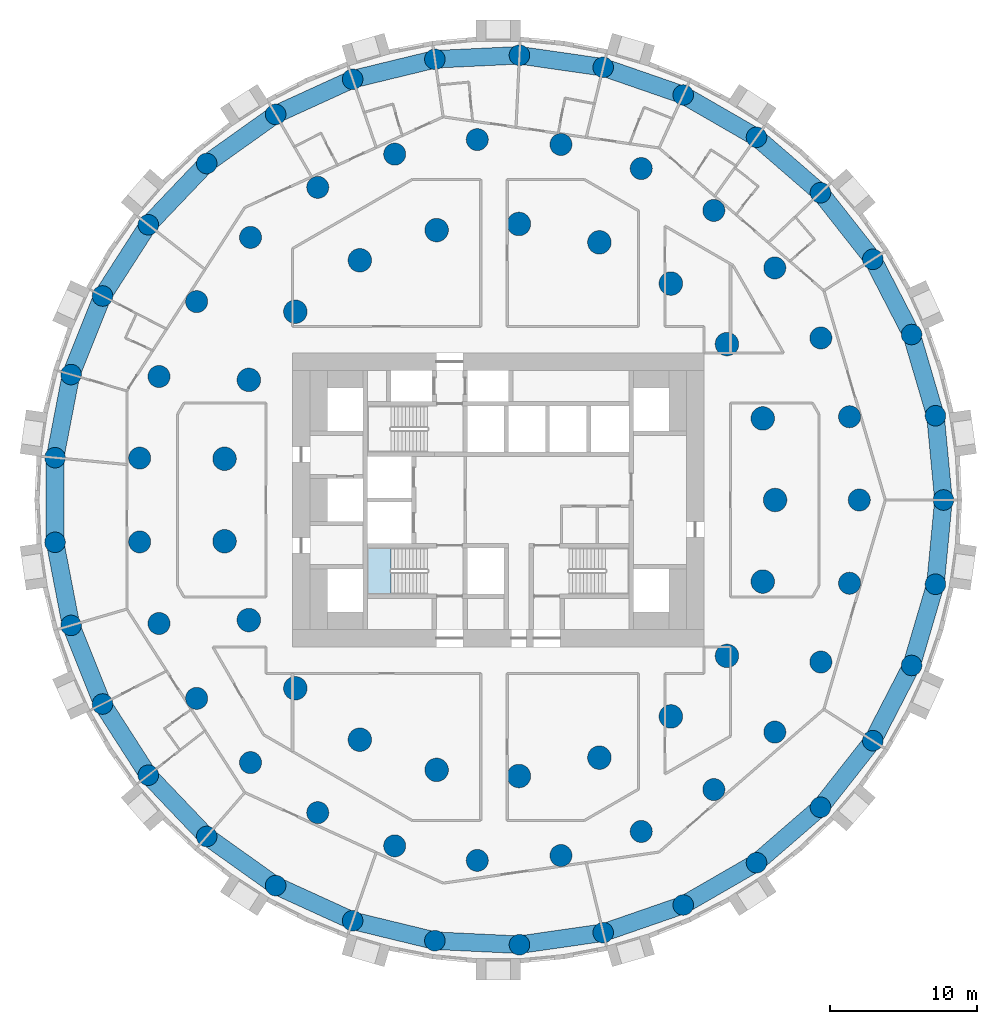
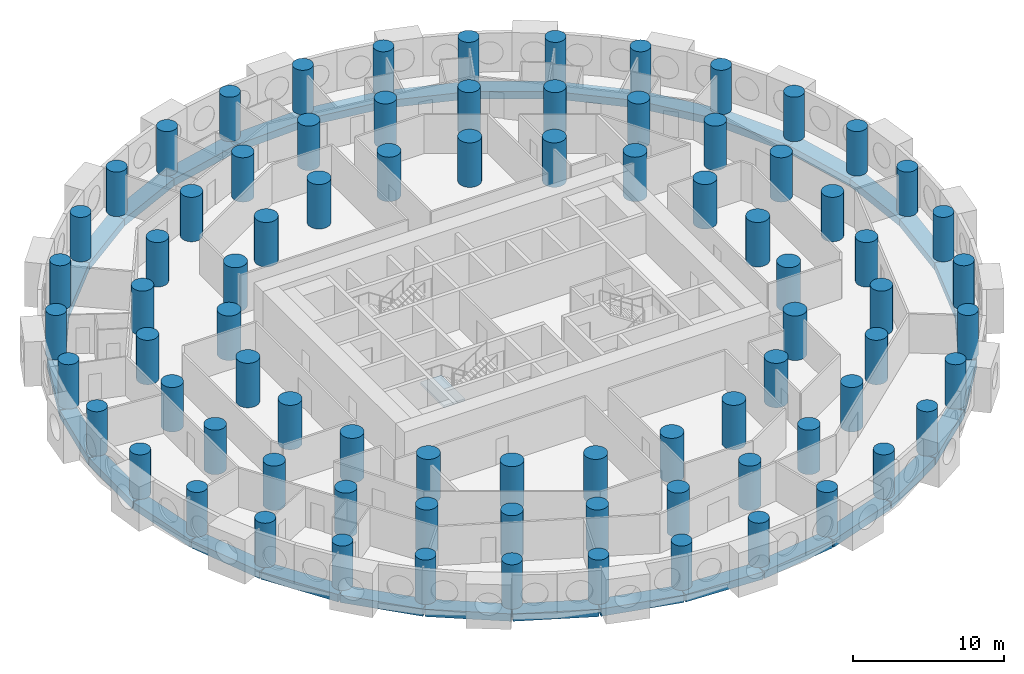
# One storey, part 1 of 12: 81 columns, 33 beams, 1 slab, 1 element without a shape of its own.
"""IFC4 building model written with IfcOpenShell, lengths in metres."""

from ifc_helpers import new_model, si_unit, direction, frame, origin, origin_2d, place, context, subcontext, project, spatial, polyline, rectangle, circle, outline, extrude, material, layer, layer_set, material_profile, profile_set, type_object, element, aggregate, save


model = new_model("IFC4")

# Units and contexts
model_context = context("Model", 3, precision=1e-05, world=origin(), true_north=direction((0.0, 1.0)))
body_context = subcontext(model_context, "Body", "Model", "MODEL_VIEW")
ifc_project = project(units=[si_unit("LENGTHUNIT", "METRE"), si_unit("AREAUNIT", "SQUARE_METRE"), si_unit("VOLUMEUNIT", "CUBIC_METRE"), si_unit("PLANEANGLEUNIT", "RADIAN"), si_unit("MASSUNIT", "GRAM", prefix="KILO")], contexts=[model_context])

# Site, building, storey
site_placement = place(None, origin())
site = spatial("IfcSite", under=ifc_project, at=site_placement, CompositionType="ELEMENT")
building_placement = place(site_placement, origin())
building = spatial("IfcBuilding", under=site, at=building_placement, Name="Tracery Tower", CompositionType="ELEMENT")
storey_placement = place(building_placement, frame((0.0, 0.0, 53.39990234375)))
storey = spatial("IfcBuildingStorey", under=building, at=storey_placement, Name="L12", CompositionType="ELEMENT", Elevation=53.39990234375)

# Columns
ifc_material_1 = material(Name="Concrete C60/75", Category="concrete")
ifc_material_profile_1 = material_profile(ifc_material_1, circle(Radius=0.699951171875, at=origin_2d()), Name="RC D1400")
ifc_profile_set_1 = profile_set([ifc_material_profile_1], Name="Concrete C60/75")
column_type_1 = type_object("IfcColumnType", Name="Ring 0 column 1400", PredefinedType="COLUMN", material=ifc_profile_set_1)
for number, where, z_axis, x_axis, name in (
    (1, (30.274658203125, 0.0, 0.0), (0.0, 0.0, 1.0), (1.0, 0.0, 0.0), "Ring 0 column 00 at L12"),
    (2, (29.7275390625, 5.7294921875, 0.0), (0.0, 0.0, 1.0), (1.0, 0.0, 0.0), "Ring 0 column 01 at L12"),
    (3, (28.10595703125, 11.251953125, 0.0), (0.0, 0.0, 1.0), (1.0, 0.0, 0.0), "Ring 0 column 02 at L12"),
    (4, (25.468505859375, 16.36767578125, 0.0), (0.0, 0.0, 1.0), (1.0, 0.0, 0.0), "Ring 0 column 03 at L12"),
    (5, (21.910888671875, 20.891845703125, 0.0), (0.0, 0.0, 1.0), (1.0, 0.0, 0.0), "Ring 0 column 04 at L12"),
    (6, (17.56103515625, 24.660888671875, 0.0), (0.0, 0.0, 1.0), (1.0, 0.0, 0.0), "Ring 0 column 05 at L12"),
    (7, (12.576416015625, 27.538818359375, 0.0), (0.0, 0.0, 1.0), (1.0, 0.0, 0.0), "Ring 0 column 06 at L12"),
    (8, (7.137451171875, 29.421142578125, 0.0), (0.0, 0.0, 1.0), (1.0, 0.0, 0.0), "Ring 0 column 07 at L12"),
    (9, (1.4404296875, 30.240234375, 0.0), (0.0, 0.0, 1.0), (1.0, 0.0, 0.0), "Ring 0 column 08 at L12"),
    (10, (-4.30859375, 29.96630859375, 0.0), (0.0, 0.0, 1.0), (1.0, 0.0, 0.0), "Ring 0 column 09 at L12"),
    (11, (-9.90185546875, 28.609619140625, 0.0), (0.0, 0.0, 1.0), (1.0, 0.0, 0.0), "Ring 0 column 10 at L12"),
    (12, (-15.13720703125, 26.218505859375, 0.0), (0.0, 0.0, 1.0), (1.0, 0.0, 0.0), "Ring 0 column 11 at L12"),
    (13, (-19.82568359375, 22.8798828125, 0.0), (0.0, 0.0, 1.0), (1.0, 0.0, 0.0), "Ring 0 column 12 at L12"),
    (14, (-23.79736328125, 18.714599609375, 0.0), (0.0, 0.0, 1.0), (1.0, 0.0, 0.0), "Ring 0 column 13 at L12"),
    (15, (-26.9091796875, 13.87255859375, 0.0), (0.0, 0.0, 1.0), (1.0, 0.0, 0.0), "Ring 0 column 14 at L12"),
    (16, (-29.04833984375, 8.529296875, 0.0), (0.0, 0.0, 1.0), (1.0, 0.0, 0.0), "Ring 0 column 15 at L12"),
    (17, (-30.137451171875, 2.877685546875, 0.0), (0.0, 0.0, 1.0), (1.0, 0.0, 0.0), "Ring 0 column 16 at L12"),
    (18, (-30.137451171875, -2.877685546875, 0.0), (0.0, 0.0, 1.0), (1.0, 0.0, 0.0), "Ring 0 column 17 at L12"),
    (19, (-29.04833984375, -8.529296875, 0.0), (0.0, 0.0, 1.0), (1.0, 0.0, 0.0), "Ring 0 column 18 at L12"),
    (20, (-26.9091796875, -13.87255859375, 0.0), (0.0, 0.0, 1.0), (1.0, 0.0, 0.0), "Ring 0 column 19 at L12"),
    (21, (-23.79736328125, -18.714599609375, 0.0), (0.0, 0.0, 1.0), (1.0, 0.0, 0.0), "Ring 0 column 20 at L12"),
    (22, (-19.82568359375, -22.8798828125, 0.0), (0.0, 0.0, 1.0), (1.0, 0.0, 0.0), "Ring 0 column 21 at L12"),
    (23, (-15.13720703125, -26.218505859375, 0.0), (0.0, 0.0, 1.0), (1.0, 0.0, 0.0), "Ring 0 column 22 at L12"),
    (24, (-9.90185546875, -28.609619140625, 0.0), (0.0, 0.0, 1.0), (1.0, 0.0, 0.0), "Ring 0 column 23 at L12"),
    (25, (-4.30859375, -29.96630859375, 0.0), (0.0, 0.0, 1.0), (1.0, 0.0, 0.0), "Ring 0 column 24 at L12"),
    (26, (1.4404296875, -30.240234375, 0.0), (0.0, 0.0, 1.0), (1.0, 0.0, 0.0), "Ring 0 column 25 at L12"),
    (27, (7.137451171875, -29.421142578125, 0.0), (0.0, 0.0, 1.0), (1.0, 0.0, 0.0), "Ring 0 column 26 at L12"),
    (28, (12.576416015625, -27.538818359375, 0.0), (0.0, 0.0, 1.0), (1.0, 0.0, 0.0), "Ring 0 column 27 at L12"),
    (29, (17.56103515625, -24.660888671875, 0.0), (0.0, 0.0, 1.0), (1.0, 0.0, 0.0), "Ring 0 column 28 at L12"),
    (30, (21.910888671875, -20.891845703125, 0.0), (0.0, 0.0, 1.0), (1.0, 0.0, 0.0), "Ring 0 column 29 at L12"),
    (31, (25.468505859375, -16.36767578125, 0.0), (0.0, 0.0, 1.0), (1.0, 0.0, 0.0), "Ring 0 column 30 at L12"),
    (32, (28.10595703125, -11.251953125, 0.0), (0.0, 0.0, 1.0), (1.0, 0.0, 0.0), "Ring 0 column 31 at L12"),
    (33, (29.7275390625, -5.7294921875, 0.0), (0.0, 0.0, 1.0), (1.0, 0.0, 0.0), "Ring 0 column 32 at L12"),
):
    element("IfcColumn", number, at=place(storey_placement, frame(where, z_axis=z_axis, x_axis=x_axis)), inside=storey, type_object=column_type_1, Name=name, PredefinedType="COLUMN", context=body_context, shape_type="SweptSolid", body=[
        extrude(circle(Radius=0.699951171875, at=origin_2d()), origin(), (0.0, 0.0, 1.0), 3.60009765625),
    ])
ifc_material_2 = material(Name="Concrete C60/75", Category="concrete")
ifc_material_profile_2 = material_profile(ifc_material_2, circle(Radius=0.75, at=origin_2d()), Name="RC D1500")
ifc_profile_set_2 = profile_set([ifc_material_profile_2], Name="Concrete C60/75")
column_type_2 = type_object("IfcColumnType", Name="Ring 1 column 1500", PredefinedType="COLUMN", material=ifc_profile_set_2)
for number, where, z_axis, x_axis, name in (
    (34, (24.547607421875, 0.0, 0.0), (0.0, 0.0, 1.0), (1.0, 0.0, 0.0), "Ring 1 column 00 at L12"),
    (35, (23.885986328125, 5.6611328125, 0.0), (0.0, 0.0, 1.0), (1.0, 0.0, 0.0), "Ring 1 column 01 at L12"),
    (36, (21.9365234375, 11.01708984375, 0.0), (0.0, 0.0, 1.0), (1.0, 0.0, 0.0), "Ring 1 column 02 at L12"),
    (37, (18.8046875, 15.779052734375, 0.0), (0.0, 0.0, 1.0), (1.0, 0.0, 0.0), "Ring 1 column 03 at L12"),
    (38, (14.658935546875, 19.690185546875, 0.0), (0.0, 0.0, 1.0), (1.0, 0.0, 0.0), "Ring 1 column 04 at L12"),
    (39, (9.722900390625, 22.5400390625, 0.0), (0.0, 0.0, 1.0), (1.0, 0.0, 0.0), "Ring 1 column 05 at L12"),
    (40, (4.2626953125, 24.1748046875, 0.0), (0.0, 0.0, 1.0), (1.0, 0.0, 0.0), "Ring 1 column 06 at L12"),
    (41, (-1.42724609375, 24.506103515625, 0.0), (0.0, 0.0, 1.0), (1.0, 0.0, 0.0), "Ring 1 column 07 at L12"),
    (42, (-7.040283203125, 23.516357421875, 0.0), (0.0, 0.0, 1.0), (1.0, 0.0, 0.0), "Ring 1 column 08 at L12"),
    (43, (-12.273681640625, 21.2587890625, 0.0), (0.0, 0.0, 1.0), (1.0, 0.0, 0.0), "Ring 1 column 09 at L12"),
    (44, (-16.845703125, 17.855224609375, 0.0), (0.0, 0.0, 1.0), (1.0, 0.0, 0.0), "Ring 1 column 10 at L12"),
    (45, (-20.50927734375, 13.4892578125, 0.0), (0.0, 0.0, 1.0), (1.0, 0.0, 0.0), "Ring 1 column 11 at L12"),
    (46, (-23.0673828125, 8.395751953125, 0.0), (0.0, 0.0, 1.0), (1.0, 0.0, 0.0), "Ring 1 column 12 at L12"),
    (47, (-24.381591796875, 2.849853515625, 0.0), (0.0, 0.0, 1.0), (1.0, 0.0, 0.0), "Ring 1 column 13 at L12"),
    (48, (-24.381591796875, -2.849853515625, 0.0), (0.0, 0.0, 1.0), (1.0, 0.0, 0.0), "Ring 1 column 14 at L12"),
    (49, (-23.0673828125, -8.395751953125, 0.0), (0.0, 0.0, 1.0), (1.0, 0.0, 0.0), "Ring 1 column 15 at L12"),
    (50, (-20.50927734375, -13.4892578125, 0.0), (0.0, 0.0, 1.0), (1.0, 0.0, 0.0), "Ring 1 column 16 at L12"),
    (51, (-16.845703125, -17.85546875, 0.0), (0.0, 0.0, 1.0), (1.0, 0.0, 0.0), "Ring 1 column 17 at L12"),
    (52, (-12.27392578125, -21.2587890625, 0.0), (0.0, 0.0, 1.0), (1.0, 0.0, 0.0), "Ring 1 column 18 at L12"),
    (53, (-7.040283203125, -23.516357421875, 0.0), (0.0, 0.0, 1.0), (1.0, 0.0, 0.0), "Ring 1 column 19 at L12"),
    (54, (-1.42724609375, -24.506103515625, 0.0), (0.0, 0.0, 1.0), (1.0, 0.0, 0.0), "Ring 1 column 20 at L12"),
    (55, (4.2626953125, -24.1748046875, 0.0), (0.0, 0.0, 1.0), (1.0, 0.0, 0.0), "Ring 1 column 21 at L12"),
    (56, (9.722900390625, -22.5400390625, 0.0), (0.0, 0.0, 1.0), (1.0, 0.0, 0.0), "Ring 1 column 22 at L12"),
    (57, (14.658935546875, -19.690185546875, 0.0), (0.0, 0.0, 1.0), (1.0, 0.0, 0.0), "Ring 1 column 23 at L12"),
    (58, (18.8046875, -15.779052734375, 0.0), (0.0, 0.0, 1.0), (1.0, 0.0, 0.0), "Ring 1 column 24 at L12"),
    (59, (21.9365234375, -11.01708984375, 0.0), (0.0, 0.0, 1.0), (1.0, 0.0, 0.0), "Ring 1 column 25 at L12"),
    (60, (23.885986328125, -5.6611328125, 0.0), (0.0, 0.0, 1.0), (1.0, 0.0, 0.0), "Ring 1 column 26 at L12"),
):
    element("IfcColumn", number, at=place(storey_placement, frame(where, z_axis=z_axis, x_axis=x_axis)), inside=storey, type_object=column_type_2, Name=name, PredefinedType="COLUMN", context=body_context, shape_type="SweptSolid", body=[
        extrude(circle(Radius=0.75, at=origin_2d()), origin(), (0.0, 0.0, 1.0), 3.60009765625),
    ])
ifc_material_3 = material(Name="Concrete C60/75", Category="concrete")
ifc_material_profile_3 = material_profile(ifc_material_3, circle(Radius=0.800048828125, at=origin_2d()), Name="RC D1600")
ifc_profile_set_3 = profile_set([ifc_material_profile_3], Name="Concrete C60/75")
column_type_3 = type_object("IfcColumnType", Name="Ring 2 column 1600", PredefinedType="COLUMN", material=ifc_profile_set_3)
for number, where, z_axis, x_axis, name in (
    (61, (18.822265625, 0.0, 0.0), (0.0, 0.0, 1.0), (1.0, 0.0, 0.0), "Ring 2 column 00 at L12"),
    (62, (17.986083984375, 5.5478515625, 0.0), (0.0, 0.0, 1.0), (1.0, 0.0, 0.0), "Ring 2 column 01 at L12"),
    (63, (15.551513671875, 10.602783203125, 0.0), (0.0, 0.0, 1.0), (1.0, 0.0, 0.0), "Ring 2 column 02 at L12"),
    (64, (11.7353515625, 14.7158203125, 0.0), (0.0, 0.0, 1.0), (1.0, 0.0, 0.0), "Ring 2 column 03 at L12"),
    (65, (6.87646484375, 17.52099609375, 0.0), (0.0, 0.0, 1.0), (1.0, 0.0, 0.0), "Ring 2 column 04 at L12"),
    (66, (1.406494140625, 18.76953125, 0.0), (0.0, 0.0, 1.0), (1.0, 0.0, 0.0), "Ring 2 column 05 at L12"),
    (67, (-4.188232421875, 18.350341796875, 0.0), (0.0, 0.0, 1.0), (1.0, 0.0, 0.0), "Ring 2 column 06 at L12"),
    (68, (-9.4111328125, 16.300537109375, 0.0), (0.0, 0.0, 1.0), (1.0, 0.0, 0.0), "Ring 2 column 07 at L12"),
    (69, (-13.797607421875, 12.802490234375, 0.0), (0.0, 0.0, 1.0), (1.0, 0.0, 0.0), "Ring 2 column 08 at L12"),
    (70, (-16.958251953125, 8.16650390625, 0.0), (0.0, 0.0, 1.0), (1.0, 0.0, 0.0), "Ring 2 column 09 at L12"),
    (71, (-18.612060546875, 2.805419921875, 0.0), (0.0, 0.0, 1.0), (1.0, 0.0, 0.0), "Ring 2 column 10 at L12"),
    (72, (-18.612060546875, -2.805419921875, 0.0), (0.0, 0.0, 1.0), (1.0, 0.0, 0.0), "Ring 2 column 11 at L12"),
    (73, (-16.958251953125, -8.166748046875, 0.0), (0.0, 0.0, 1.0), (1.0, 0.0, 0.0), "Ring 2 column 12 at L12"),
    (74, (-13.797607421875, -12.80224609375, 0.0), (0.0, 0.0, 1.0), (1.0, 0.0, 0.0), "Ring 2 column 13 at L12"),
    (75, (-9.4111328125, -16.300537109375, 0.0), (0.0, 0.0, 1.0), (1.0, 0.0, 0.0), "Ring 2 column 14 at L12"),
    (76, (-4.188232421875, -18.350341796875, 0.0), (0.0, 0.0, 1.0), (1.0, 0.0, 0.0), "Ring 2 column 15 at L12"),
    (77, (1.406494140625, -18.76953125, 0.0), (0.0, 0.0, 1.0), (1.0, 0.0, 0.0), "Ring 2 column 16 at L12"),
    (78, (6.87646484375, -17.52099609375, 0.0), (0.0, 0.0, 1.0), (1.0, 0.0, 0.0), "Ring 2 column 17 at L12"),
    (79, (11.7353515625, -14.7158203125, 0.0), (0.0, 0.0, 1.0), (1.0, 0.0, 0.0), "Ring 2 column 18 at L12"),
    (80, (15.551513671875, -10.602783203125, 0.0), (0.0, 0.0, 1.0), (1.0, 0.0, 0.0), "Ring 2 column 19 at L12"),
    (81, (17.986083984375, -5.5478515625, 0.0), (0.0, 0.0, 1.0), (1.0, 0.0, 0.0), "Ring 2 column 20 at L12"),
):
    element("IfcColumn", number, at=place(storey_placement, frame(where, z_axis=z_axis, x_axis=x_axis)), inside=storey, type_object=column_type_3, Name=name, PredefinedType="COLUMN", context=body_context, shape_type="SweptSolid", body=[
        extrude(circle(Radius=0.800048828125, at=origin_2d()), origin(), (0.0, 0.0, 1.0), 3.60009765625),
    ])

# Beams
ifc_material_4 = material(Name="Concrete C60/75", Category="concrete")
ifc_material_profile_4 = material_profile(ifc_material_4, rectangle(XDim=1.199951171875, YDim=0.60009765625, at=origin_2d()), Name="RC 1200x600")
ifc_profile_set_4 = profile_set([ifc_material_profile_4], Name="Concrete C60/75")
beam_type = type_object("IfcBeamType", Name="Perimeter band beam 1200x600", PredefinedType="BEAM", material=ifc_profile_set_4)
for number, where, z_axis, x_axis, name in (
    (82, (30.274658203125, 0.0, -0.75), (-0.095059309677, 0.995471610667, 0.0), (-0.995471610667, -0.095059309677, 0.0), "Perimeter beam 0.00 under L12"),
    (83, (29.7275390625, 5.7294921875, -0.75), (-0.281739145896, 0.959491038869, 0.0), (-0.959491038869, -0.281739145896, 0.0), "Perimeter beam 0.01 under L12"),
    (84, (28.10595703125, 11.251953125, -0.75), (-0.458242010493, 0.88882746347, 0.0), (-0.88882746347, -0.458242010493, 0.0), "Perimeter beam 0.02 under L12"),
):
    element("IfcBeam", number, at=place(storey_placement, frame(where, z_axis=z_axis, x_axis=x_axis)), inside=storey, type_object=beam_type, Name=name, PredefinedType="BEAM", context=body_context, shape_type="SweptSolid", body=[
        extrude(rectangle(XDim=1.199951171875, YDim=0.60009765625, at=origin_2d()), origin(), (0.0, 0.0, 1.0), 5.755615234375),
    ])
beam_1_placement = place(storey_placement, frame((25.468505859375, 16.36767578125, -0.75), z_axis=(-0.618134362257, 0.786072458618, 0.0), x_axis=(-0.786072458618, -0.618134362257, 0.0)))
element("IfcBeam", 85, at=beam_1_placement, inside=storey, type_object=beam_type, Name="Perimeter beam 0.03 under L12", PredefinedType="BEAM", context=body_context, shape_type="SweptSolid", body=[
    extrude(rectangle(XDim=1.199951171875, YDim=0.60009765625, at=origin_2d()), origin(), (0.0, 0.0, 1.0), 5.75537109375),
])
beam_2_placement = place(storey_placement, frame((21.910888671875, 20.891845703125, -0.75), z_axis=(-0.755760456715, 0.65484817482, 0.0), x_axis=(-0.65484817482, -0.755760456715, 0.0)))
element("IfcBeam", 86, at=beam_2_placement, inside=storey, type_object=beam_type, Name="Perimeter beam 0.04 under L12", PredefinedType="BEAM", context=body_context, shape_type="SweptSolid", body=[
    extrude(rectangle(XDim=1.199951171875, YDim=0.60009765625, at=origin_2d()), origin(), (0.0, 0.0, 1.0), 5.755615234375),
])
beam_3_placement = place(storey_placement, frame((17.56103515625, 24.660888671875, -0.75), z_axis=(-0.866021003874, 0.50000762079, 0.0), x_axis=(-0.50000762079, -0.866021003874, 0.0)))
element("IfcBeam", 87, at=beam_3_placement, inside=storey, type_object=beam_type, Name="Perimeter beam 0.05 under L12", PredefinedType="BEAM", context=body_context, shape_type="SweptSolid", body=[
    extrude(rectangle(XDim=1.199951171875, YDim=0.60009765625, at=origin_2d()), origin(), (0.0, 0.0, 1.0), 5.755859375),
])
beam_4_placement = place(storey_placement, frame((12.576416015625, 27.538818359375, -0.75), z_axis=(-0.945007252869, 0.327049372458, 0.0), x_axis=(-0.327049372458, -0.945007252869, 0.0)))
element("IfcBeam", 88, at=beam_4_placement, inside=storey, type_object=beam_type, Name="Perimeter beam 0.06 under L12", PredefinedType="BEAM", context=body_context, shape_type="SweptSolid", body=[
    extrude(rectangle(XDim=1.199951171875, YDim=0.60009765625, at=origin_2d()), origin(), (0.0, 0.0, 1.0), 5.75537109375),
])
for number, where, z_axis, x_axis, name in (
    (89, (7.137451171875, 29.421142578125, -0.75), (-0.989821839174, 0.142312075013, 0.0), (-0.142312075013, -0.989821839174, 0.0), "Perimeter beam 0.07 under L12"),
    (90, (1.4404296875, 30.240234375, -0.75), (-0.998866793759, -0.047593364303, 0.0), (0.047593364303, -0.998866793759, 0.0), "Perimeter beam 0.08 under L12"),
):
    element("IfcBeam", number, at=place(storey_placement, frame(where, z_axis=z_axis, x_axis=x_axis)), inside=storey, type_object=beam_type, Name=name, PredefinedType="BEAM", context=body_context, shape_type="SweptSolid", body=[
        extrude(rectangle(XDim=1.199951171875, YDim=0.60009765625, at=origin_2d()), origin(), (0.0, 0.0, 1.0), 5.755615234375),
    ])
beam_5_placement = place(storey_placement, frame((-4.30859375, 29.96630859375, -0.75), z_axis=(-0.971820371509, -0.235722645328, 0.0), x_axis=(0.235722645328, -0.971820371509, 0.0)))
element("IfcBeam", 91, at=beam_5_placement, inside=storey, type_object=beam_type, Name="Perimeter beam 0.09 under L12", PredefinedType="BEAM", context=body_context, shape_type="SweptSolid", body=[
    extrude(rectangle(XDim=1.199951171875, YDim=0.60009765625, at=origin_2d()), origin(), (0.0, 0.0, 1.0), 5.75537109375),
])
for number, where, z_axis, x_axis, name in (
    (92, (-9.90185546875, 28.609619140625, -0.75), (-0.909618316865, -0.415444963411, 0.0), (0.415444963411, -0.909618316865, 0.0), "Perimeter beam 0.10 under L12"),
    (93, (-15.13720703125, 26.218505859375, -0.75), (-0.8145780864, -0.580053912285, 0.0), (0.580053912285, -0.8145780864, 0.0), "Perimeter beam 0.11 under L12"),
):
    element("IfcBeam", number, at=place(storey_placement, frame(where, z_axis=z_axis, x_axis=x_axis)), inside=storey, type_object=beam_type, Name=name, PredefinedType="BEAM", context=body_context, shape_type="SweptSolid", body=[
        extrude(rectangle(XDim=1.199951171875, YDim=0.60009765625, at=origin_2d()), origin(), (0.0, 0.0, 1.0), 5.755615234375),
    ])
beam_6_placement = place(storey_placement, frame((-19.82568359375, 22.8798828125, -0.75), z_axis=(-0.690087218267, -0.723726212863, 0.0), x_axis=(0.723726212863, -0.690087218267, 0.0)))
element("IfcBeam", 94, at=beam_6_placement, inside=storey, type_object=beam_type, Name="Perimeter beam 0.12 under L12", PredefinedType="BEAM", context=body_context, shape_type="SweptSolid", body=[
    extrude(rectangle(XDim=1.199951171875, YDim=0.60009765625, at=origin_2d()), origin(), (0.0, 0.0, 1.0), 5.75537109375),
])
beam_7_placement = place(storey_placement, frame((-23.79736328125, 18.714599609375, -0.75), z_axis=(-0.540643964602, -0.841251510274, 0.0), x_axis=(0.841251510274, -0.540643964602, 0.0)))
element("IfcBeam", 95, at=beam_7_placement, inside=storey, type_object=beam_type, Name="Perimeter beam 0.13 under L12", PredefinedType="BEAM", context=body_context, shape_type="SweptSolid", body=[
    extrude(rectangle(XDim=1.199951171875, YDim=0.60009765625, at=origin_2d()), origin(), (0.0, 0.0, 1.0), 5.755859375),
])
for number, where, z_axis, x_axis, name in (
    (96, (-26.9091796875, 13.87255859375, -0.75), (-0.371668572289, -0.928365484264, 0.0), (0.928365484264, -0.371668572289, 0.0), "Perimeter beam 0.14 under L12"),
    (97, (-29.04833984375, 8.529296875, -0.75), (-0.189226539295, -0.981933458451, 0.0), (0.981933458451, -0.189226539295, 0.0), "Perimeter beam 0.15 under L12"),
):
    element("IfcBeam", number, at=place(storey_placement, frame(where, z_axis=z_axis, x_axis=x_axis)), inside=storey, type_object=beam_type, Name=name, PredefinedType="BEAM", context=body_context, shape_type="SweptSolid", body=[
        extrude(rectangle(XDim=1.199951171875, YDim=0.60009765625, at=origin_2d()), origin(), (0.0, 0.0, 1.0), 5.755615234375),
    ])
beam_8_placement = place(storey_placement, frame((-30.137451171875, 2.877685546875, -0.75), z_axis=(0.0, -1.0, 0.0), x_axis=(1.0, 0.0, 0.0)))
element("IfcBeam", 98, at=beam_8_placement, inside=storey, type_object=beam_type, Name="Perimeter beam 0.16 under L12", PredefinedType="BEAM", context=body_context, shape_type="SweptSolid", body=[
    extrude(rectangle(XDim=1.199951171875, YDim=0.60009765625, at=origin_2d()), origin(), (0.0, 0.0, 1.0), 5.75537109375),
])
for number, where, z_axis, x_axis, name in (
    (99, (-30.137451171875, -2.877685546875, -0.75), (0.189226539295, -0.981933458451, 0.0), (0.981933458451, 0.189226539295, 0.0), "Perimeter beam 0.17 under L12"),
    (100, (-29.04833984375, -8.529296875, -0.75), (0.371668572289, -0.928365484264, 0.0), (0.928365484264, 0.371668572289, 0.0), "Perimeter beam 0.18 under L12"),
):
    element("IfcBeam", number, at=place(storey_placement, frame(where, z_axis=z_axis, x_axis=x_axis)), inside=storey, type_object=beam_type, Name=name, PredefinedType="BEAM", context=body_context, shape_type="SweptSolid", body=[
        extrude(rectangle(XDim=1.199951171875, YDim=0.60009765625, at=origin_2d()), origin(), (0.0, 0.0, 1.0), 5.755615234375),
    ])
beam_9_placement = place(storey_placement, frame((-26.9091796875, -13.87255859375, -0.75), z_axis=(0.540643964602, -0.841251510274, 0.0), x_axis=(0.841251510274, 0.540643964602, 0.0)))
element("IfcBeam", 101, at=beam_9_placement, inside=storey, type_object=beam_type, Name="Perimeter beam 0.19 under L12", PredefinedType="BEAM", context=body_context, shape_type="SweptSolid", body=[
    extrude(rectangle(XDim=1.199951171875, YDim=0.60009765625, at=origin_2d()), origin(), (0.0, 0.0, 1.0), 5.755859375),
])
beam_10_placement = place(storey_placement, frame((-23.79736328125, -18.714599609375, -0.75), z_axis=(0.690087218267, -0.723726212863, 0.0), x_axis=(0.723726212863, 0.690087218267, 0.0)))
element("IfcBeam", 102, at=beam_10_placement, inside=storey, type_object=beam_type, Name="Perimeter beam 0.20 under L12", PredefinedType="BEAM", context=body_context, shape_type="SweptSolid", body=[
    extrude(rectangle(XDim=1.199951171875, YDim=0.60009765625, at=origin_2d()), origin(), (0.0, 0.0, 1.0), 5.75537109375),
])
for number, where, z_axis, x_axis, name in (
    (103, (-19.82568359375, -22.8798828125, -0.75), (0.8145780864, -0.580053912285, 0.0), (0.580053912285, 0.8145780864, 0.0), "Perimeter beam 0.21 under L12"),
    (104, (-15.13720703125, -26.218505859375, -0.75), (0.909618316865, -0.415444963411, 0.0), (0.415444963411, 0.909618316865, 0.0), "Perimeter beam 0.22 under L12"),
):
    element("IfcBeam", number, at=place(storey_placement, frame(where, z_axis=z_axis, x_axis=x_axis)), inside=storey, type_object=beam_type, Name=name, PredefinedType="BEAM", context=body_context, shape_type="SweptSolid", body=[
        extrude(rectangle(XDim=1.199951171875, YDim=0.60009765625, at=origin_2d()), origin(), (0.0, 0.0, 1.0), 5.755615234375),
    ])
beam_11_placement = place(storey_placement, frame((-9.90185546875, -28.609619140625, -0.75), z_axis=(0.971820371509, -0.235722645328, 0.0), x_axis=(0.235722645328, 0.971820371509, 0.0)))
element("IfcBeam", 105, at=beam_11_placement, inside=storey, type_object=beam_type, Name="Perimeter beam 0.23 under L12", PredefinedType="BEAM", context=body_context, shape_type="SweptSolid", body=[
    extrude(rectangle(XDim=1.199951171875, YDim=0.60009765625, at=origin_2d()), origin(), (0.0, 0.0, 1.0), 5.75537109375),
])
for number, where, z_axis, x_axis, name in (
    (106, (-4.30859375, -29.96630859375, -0.75), (0.998866793759, -0.047593364303, 0.0), (0.047593364303, 0.998866793759, 0.0), "Perimeter beam 0.24 under L12"),
    (107, (1.4404296875, -30.240234375, -0.75), (0.989821839174, 0.142312075013, 0.0), (-0.142312075013, 0.989821839174, 0.0), "Perimeter beam 0.25 under L12"),
):
    element("IfcBeam", number, at=place(storey_placement, frame(where, z_axis=z_axis, x_axis=x_axis)), inside=storey, type_object=beam_type, Name=name, PredefinedType="BEAM", context=body_context, shape_type="SweptSolid", body=[
        extrude(rectangle(XDim=1.199951171875, YDim=0.60009765625, at=origin_2d()), origin(), (0.0, 0.0, 1.0), 5.755615234375),
    ])
beam_12_placement = place(storey_placement, frame((7.137451171875, -29.421142578125, -0.75), z_axis=(0.945007252869, 0.327049372458, 0.0), x_axis=(-0.327049372458, 0.945007252869, 0.0)))
element("IfcBeam", 108, at=beam_12_placement, inside=storey, type_object=beam_type, Name="Perimeter beam 0.26 under L12", PredefinedType="BEAM", context=body_context, shape_type="SweptSolid", body=[
    extrude(rectangle(XDim=1.199951171875, YDim=0.60009765625, at=origin_2d()), origin(), (0.0, 0.0, 1.0), 5.75537109375),
])
beam_13_placement = place(storey_placement, frame((12.576416015625, -27.538818359375, -0.75), z_axis=(0.866021003874, 0.50000762079, 0.0), x_axis=(-0.50000762079, 0.866021003874, 0.0)))
element("IfcBeam", 109, at=beam_13_placement, inside=storey, type_object=beam_type, Name="Perimeter beam 0.27 under L12", PredefinedType="BEAM", context=body_context, shape_type="SweptSolid", body=[
    extrude(rectangle(XDim=1.199951171875, YDim=0.60009765625, at=origin_2d()), origin(), (0.0, 0.0, 1.0), 5.755859375),
])
beam_14_placement = place(storey_placement, frame((17.56103515625, -24.660888671875, -0.75), z_axis=(0.755760456715, 0.65484817482, 0.0), x_axis=(-0.65484817482, 0.755760456715, 0.0)))
element("IfcBeam", 110, at=beam_14_placement, inside=storey, type_object=beam_type, Name="Perimeter beam 0.28 under L12", PredefinedType="BEAM", context=body_context, shape_type="SweptSolid", body=[
    extrude(rectangle(XDim=1.199951171875, YDim=0.60009765625, at=origin_2d()), origin(), (0.0, 0.0, 1.0), 5.755615234375),
])
beam_15_placement = place(storey_placement, frame((21.910888671875, -20.891845703125, -0.75), z_axis=(0.618134362257, 0.786072458618, 0.0), x_axis=(-0.786072458618, 0.618134362257, 0.0)))
element("IfcBeam", 111, at=beam_15_placement, inside=storey, type_object=beam_type, Name="Perimeter beam 0.29 under L12", PredefinedType="BEAM", context=body_context, shape_type="SweptSolid", body=[
    extrude(rectangle(XDim=1.199951171875, YDim=0.60009765625, at=origin_2d()), origin(), (0.0, 0.0, 1.0), 5.75537109375),
])
for number, where, z_axis, x_axis, name in (
    (112, (25.468505859375, -16.36767578125, -0.75), (0.458242010493, 0.88882746347, 0.0), (-0.88882746347, 0.458242010493, 0.0), "Perimeter beam 0.30 under L12"),
    (113, (28.10595703125, -11.251953125, -0.75), (0.281739145896, 0.959491038869, 0.0), (-0.959491038869, 0.281739145896, 0.0), "Perimeter beam 0.31 under L12"),
    (114, (29.7275390625, -5.7294921875, -0.75), (0.095059309677, 0.995471610667, 0.0), (-0.995471610667, 0.095059309677, 0.0), "Perimeter beam 0.32 under L12"),
):
    element("IfcBeam", number, at=place(storey_placement, frame(where, z_axis=z_axis, x_axis=x_axis)), inside=storey, type_object=beam_type, Name=name, PredefinedType="BEAM", context=body_context, shape_type="SweptSolid", body=[
        extrude(rectangle(XDim=1.199951171875, YDim=0.60009765625, at=origin_2d()), origin(), (0.0, 0.0, 1.0), 5.755615234375),
    ])

# Stair, slab
ifc_material_5 = material(Name="Concrete C32/40", Category="concrete")
stair_type = type_object("IfcStairType", Name="Core stair 22 risers", PredefinedType="HALF_TURN_STAIR", material=ifc_material_5)
stair_placement = place(storey_placement, origin())
stair = element("IfcStair", 115, at=stair_placement, inside=storey, type_object=stair_type, Name="L12 stair ST1", PredefinedType="HALF_TURN_STAIR")
ifc_material_6 = material(Name="Concrete C32/40", Category="concrete")
ifc_layer = layer(ifc_material_6, 0.199951171875)
ifc_layer_set = layer_set([ifc_layer], Name="Stair landing slab 200")
slab_type = type_object("IfcSlabType", Name="Stair landing slab 200", PredefinedType="LANDING", material=ifc_layer_set)
slab_placement = place(storey_placement, frame((0.0, 0.0, 1.60009765625)))
slab = element("IfcSlab", 116, at=slab_placement, type_object=slab_type, Name="ST1 landing 1", PredefinedType="LANDING", context=body_context, shape_type="SweptSolid", body=[
    extrude(outline(polyline([(-7.29931640625, -3.25), (-8.89990234375, -3.25), (-8.89990234375, -6.39990234375), (-7.29931640625, -6.39990234375), (-7.29931640625, -3.25)])), origin(), (0.0, 0.0, 1.0), 0.199951171875),
])
aggregate(stair, [slab])

save(model, "model.ifc")
